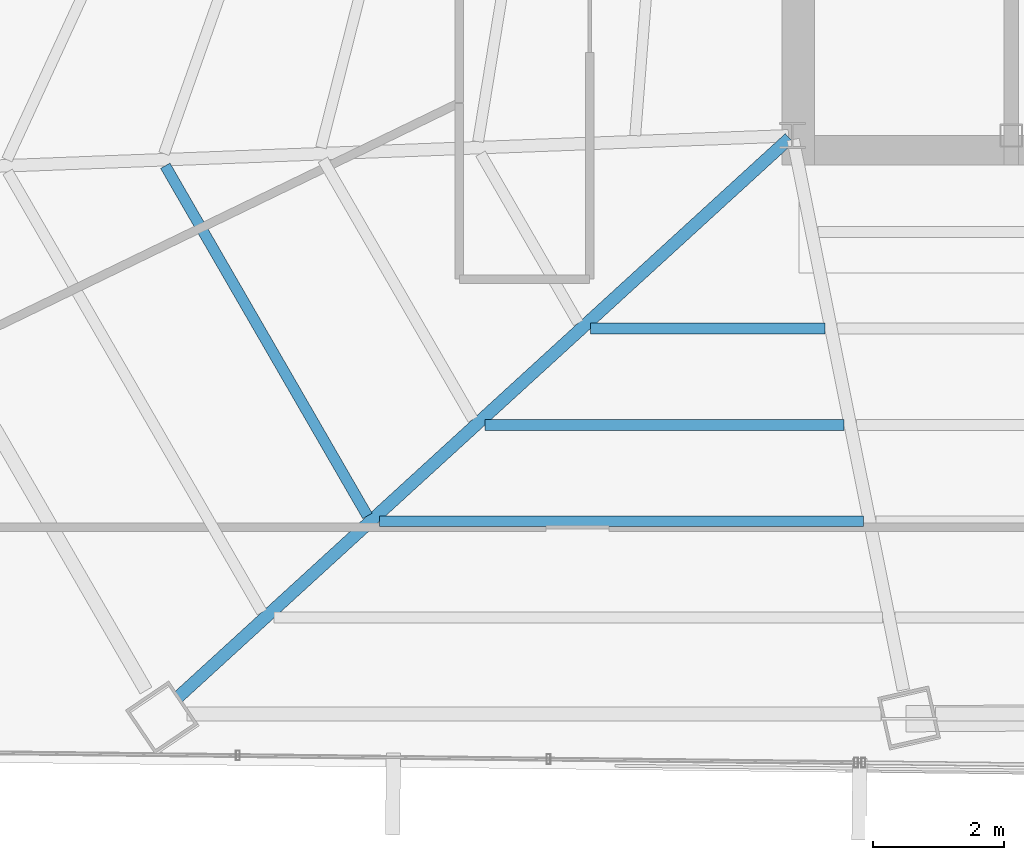
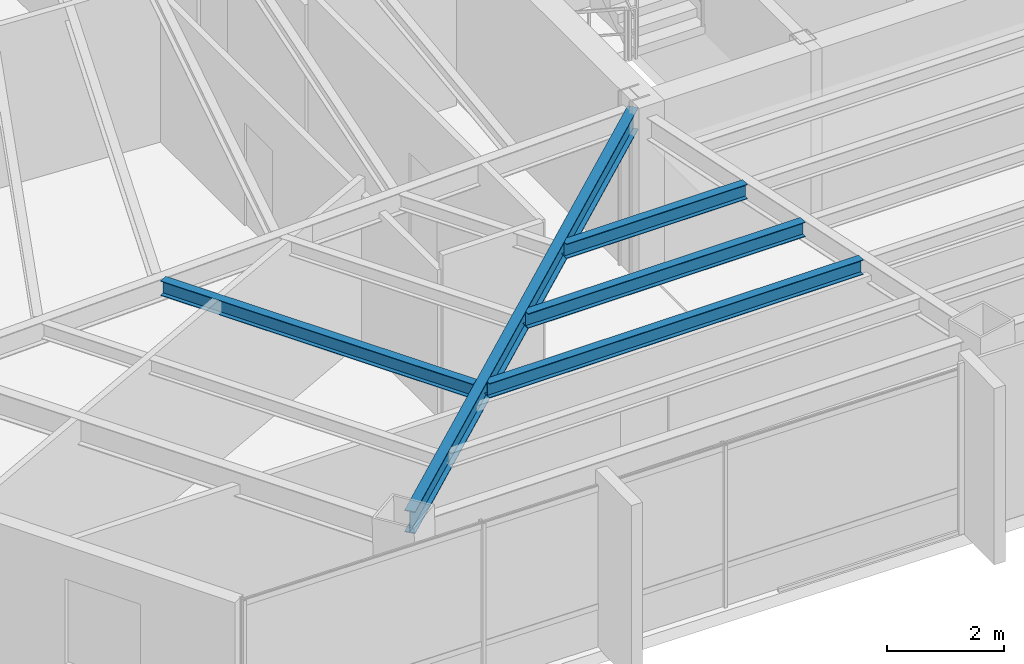
# One storey, part 6 of 40: 5 beams.
"""IFC4 building model written with IfcOpenShell, lengths in metres."""

from ifc_helpers import new_model, si_unit, direction, frame, origin, origin_2d, place, context, subcontext, project, spatial, i_section, extrude, source, transform, mapped, material, material_profile, profile_set, type_object, type_shapes, element, save


model = new_model("IFC4")

# Units and contexts
model_context = context("Model", 3, precision=1e-05, world=origin(), true_north=direction((0.0, 1.0)))
body_context = subcontext(model_context, "Body", "Model", "MODEL_VIEW")
ifc_project = project(units=[si_unit("LENGTHUNIT", "METRE"), si_unit("AREAUNIT", "SQUARE_METRE"), si_unit("VOLUMEUNIT", "CUBIC_METRE"), si_unit("PLANEANGLEUNIT", "RADIAN"), si_unit("MASSUNIT", "GRAM", prefix="KILO")], contexts=[model_context])

# Site, building, storey
site_placement = place(None, origin())
site = spatial("IfcSite", under=ifc_project, at=site_placement, CompositionType="ELEMENT")
building_placement = place(site_placement, origin())
building = spatial("IfcBuilding", under=site, at=building_placement, Name="Caelisora Broadcast Tower", CompositionType="ELEMENT")
storey_placement = place(building_placement, frame((0.0, 0.0, 213.25)))
storey = spatial("IfcBuildingStorey", under=building, at=storey_placement, Name="L56", CompositionType="ELEMENT", Elevation=213.25)

# Beams
ifc_material = material(Name="Steel Grade 350 (AS/NZS 3679.1)", Category="steel")
ifc_material_profile_1 = material_profile(ifc_material, i_section(OverallWidth=0.19091796875, OverallDepth=0.46044921875, WebThickness=0.010009765625, FlangeThickness=0.01611328125, at=origin_2d()), Name="Steel Grade 350 (AS/NZS 3679.1)")
ifc_profile_set_1 = profile_set([ifc_material_profile_1], Name="Steel Grade 350 (AS/NZS 3679.1)")
beam_type_1 = type_object("IfcBeamType", Name="PG06", PredefinedType="BEAM", material=ifc_profile_set_1)
shared_shape_1 = source(origin(), body_context, "Body", "SweptSolid", [
    extrude(i_section(OverallWidth=0.19091796875, OverallDepth=0.46044921875, WebThickness=0.010009765625, FlangeThickness=0.01611328125, at=origin_2d()), origin(), (0.0, 0.0, 1.0), 12.681640625),
])
type_shapes(beam_type_1, [shared_shape_1])
beam_1_placement = place(storey_placement, frame((30.455810546875, 17.359619140625, 3.169921875), z_axis=(-0.738084415517, -0.674708378169, 0.0), x_axis=(0.674708378169, -0.738084415517, 0.0)))
element("IfcBeam", 1, at=beam_1_placement, inside=storey, type_object=beam_type_1, Name="L56 beam PG06", PredefinedType="BEAM", context=body_context, shape_type="MappedRepresentation", body=[
    mapped(shared_shape_1, transform((0.0, 0.0, 0.0), scale=1.0)),
])
ifc_material_profile_2 = material_profile(ifc_material, i_section(OverallWidth=0.166015625, OverallDepth=0.30712890625, WebThickness=0.006591796875, FlangeThickness=0.01171875, at=origin_2d()), Name="Steel Grade 350 (AS/NZS 3679.1)")
ifc_profile_set_2 = profile_set([ifc_material_profile_2], Name="Steel Grade 350 (AS/NZS 3679.1)")
beam_type_2 = type_object("IfcBeamType", Name="SB03", PredefinedType="JOIST", material=ifc_profile_set_2)
shared_shape_2 = source(origin(), body_context, "Body", "SweptSolid", [
    extrude(i_section(OverallWidth=0.166015625, OverallDepth=0.30712890625, WebThickness=0.006591796875, FlangeThickness=0.01171875, at=origin_2d()), origin(), (0.0, 0.0, 1.0), 6.186279296875),
])
beam_2_placement = place(storey_placement, frame((20.90478515625, 16.939208984375, 3.246337890625), z_axis=(0.500018519501, -0.866014711281, 0.0), x_axis=(0.866014711281, 0.500018519501, 0.0)))
element("IfcBeam", 2, at=beam_2_placement, inside=storey, type_object=beam_type_2, Name="L56 beam SB03", PredefinedType="JOIST", context=body_context, shape_type="MappedRepresentation", body=[
    mapped(shared_shape_2, transform((0.0, 0.0, 0.0), scale=1.0)),
])
shared_shape_3 = source(origin(), body_context, "Body", "SweptSolid", [
    extrude(i_section(OverallWidth=0.166015625, OverallDepth=0.30712890625, WebThickness=0.006591796875, FlangeThickness=0.01171875, at=origin_2d()), origin(), (0.0, 0.0, 1.0), 3.58544921875),
])
beam_3_placement = place(storey_placement, frame((27.4111328125, 14.44970703125, 3.246337890625), z_axis=(1.0, 0.0, 0.0), x_axis=(0.0, 1.0, 0.0)))
element("IfcBeam", 3, at=beam_3_placement, inside=storey, type_object=beam_type_2, Name="L56 beam SB03", PredefinedType="JOIST", context=body_context, shape_type="MappedRepresentation", body=[
    mapped(shared_shape_3, transform((0.0, 0.0, 0.0), scale=1.0)),
])
shared_shape_4 = source(origin(), body_context, "Body", "SweptSolid", [
    extrude(i_section(OverallWidth=0.166015625, OverallDepth=0.30712890625, WebThickness=0.006591796875, FlangeThickness=0.01171875, at=origin_2d()), origin(), (0.0, 0.0, 1.0), 5.494384765625),
])
beam_4_placement = place(storey_placement, frame((25.797607421875, 12.974853515625, 3.246337890625), z_axis=(1.0, 0.0, 0.0), x_axis=(0.0, 1.0, 0.0)))
element("IfcBeam", 4, at=beam_4_placement, inside=storey, type_object=beam_type_2, Name="L56 beam SB03", PredefinedType="JOIST", context=body_context, shape_type="MappedRepresentation", body=[
    mapped(shared_shape_4, transform((0.0, 0.0, 0.0), scale=1.0)),
])
shared_shape_5 = source(origin(), body_context, "Body", "SweptSolid", [
    extrude(i_section(OverallWidth=0.166015625, OverallDepth=0.30712890625, WebThickness=0.006591796875, FlangeThickness=0.01171875, at=origin_2d()), origin(), (0.0, 0.0, 1.0), 7.403564453125),
])
type_shapes(beam_type_2, [shared_shape_2, shared_shape_3, shared_shape_4, shared_shape_5])
beam_5_placement = place(storey_placement, frame((24.183837890625, 11.499755859375, 3.246337890625), z_axis=(1.0, 0.0, 0.0), x_axis=(0.0, 1.0, 0.0)))
element("IfcBeam", 5, at=beam_5_placement, inside=storey, type_object=beam_type_2, Name="L56 beam SB03", PredefinedType="JOIST", context=body_context, shape_type="MappedRepresentation", body=[
    mapped(shared_shape_5, transform((0.0, 0.0, 0.0), scale=1.0)),
])

save(model, "model.ifc")
